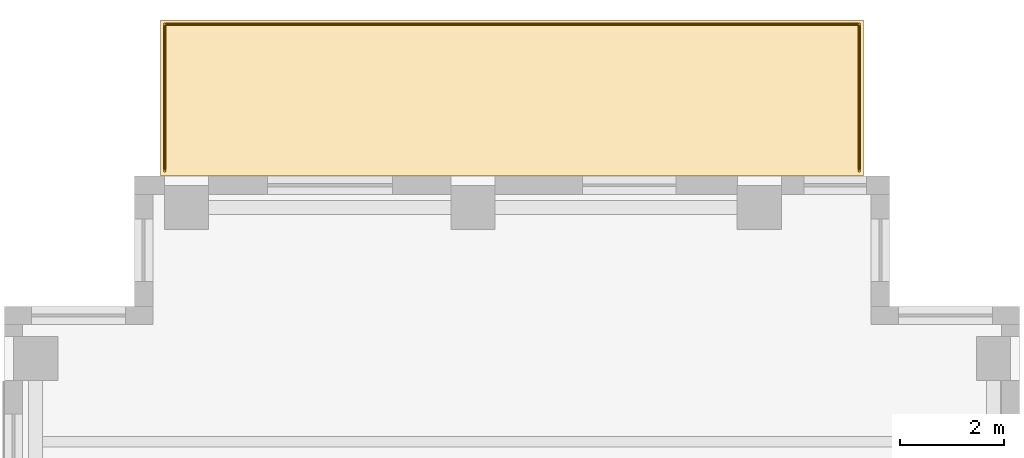
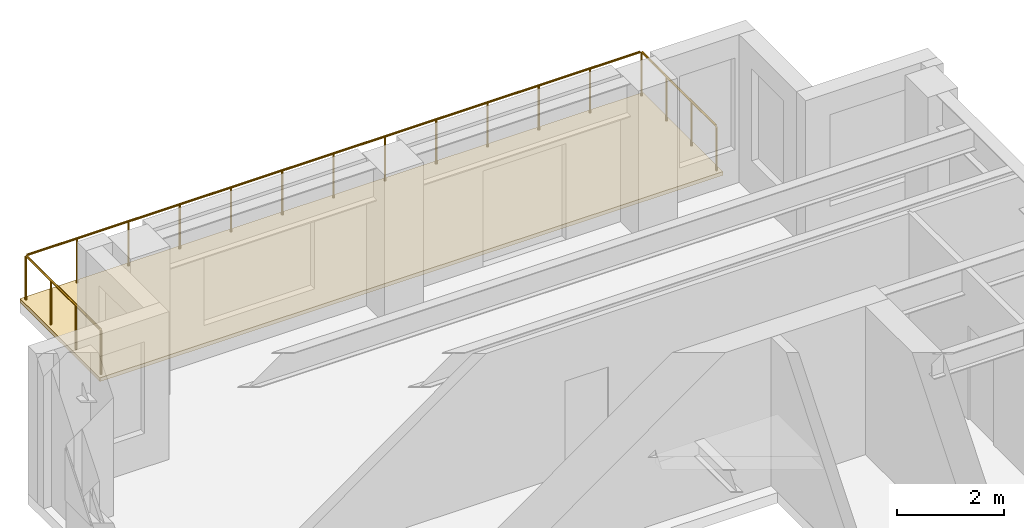
# One storey, part 14 of 14: 1 covering, 1 railing.
"""IFC4 building model written with IfcOpenShell, lengths in metres."""

from ifc_helpers import new_model, si_unit, direction, frame, origin, origin_2d, place, context, subcontext, project, spatial, polyline, circle, outline, extrude, source, transform, mapped, material, layer, layer_set, type_object, element, save


model = new_model("IFC4")

# Units and contexts
model_context = context("Model", 3, precision=1e-05, world=origin(), true_north=direction((0.0, 1.0)))
body_context = subcontext(model_context, "Body", "Model", "MODEL_VIEW")
ifc_project = project(units=[si_unit("LENGTHUNIT", "METRE"), si_unit("AREAUNIT", "SQUARE_METRE"), si_unit("VOLUMEUNIT", "CUBIC_METRE"), si_unit("PLANEANGLEUNIT", "RADIAN"), si_unit("MASSUNIT", "GRAM", prefix="KILO")], contexts=[model_context])

# Site, building, storey
site_placement = place(None, origin())
site = spatial("IfcSite", under=ifc_project, at=site_placement, CompositionType="ELEMENT")
building_placement = place(site_placement, origin())
building = spatial("IfcBuilding", under=site, at=building_placement, Name="Kharzan Plaza Tower", CompositionType="ELEMENT")
storey_placement = place(building_placement, frame((0.0, 0.0, 212.39990234375)))
storey = spatial("IfcBuildingStorey", under=building, at=storey_placement, Name="L57", CompositionType="ELEMENT", Elevation=212.39990234375)

# Covering
ifc_material_1 = material(Name="Inverted EPDM Waterproofing and Gravel Ballast", Category="membrane")
ifc_layer_1 = layer(ifc_material_1, 0.0849609375)
ifc_layer_set_1 = layer_set([ifc_layer_1], Name="Inverted EPDM Waterproofing and Gravel Ballast")
covering_type = type_object("IfcCoveringType", Name="COV-ROOF-MEMB", PredefinedType="ROOFING", material=ifc_layer_set_1)
covering_placement = place(storey_placement, origin())
element("IfcCovering", 1, at=covering_placement, inside=storey, type_object=covering_type, Name="L57 Terrace Waterproofing Covering", PredefinedType="ROOFING", context=body_context, shape_type="SweptSolid", body=[
    extrude(outline(polyline([(3.0, 38.5), (16.5, 38.5), (16.5, 41.5), (3.0, 41.5), (3.0, 38.5)])), origin(), (0.0, 0.0, 1.0), 0.085205078125),
])

# Railing
ifc_material_2 = material(Name="Painted Galvanized Architectural Steel", Category="steel")
ifc_layer_2 = layer(ifc_material_2, 0.074951171875)
ifc_layer_set_2 = layer_set([ifc_layer_2], Name="Painted Galvanized Architectural Steel")
railing_type = type_object("IfcRailingType", Name="RL-GUARD-1120", PredefinedType="BALUSTRADE", material=ifc_layer_set_2)
shared_shape = source(origin(), body_context, "Body", "SweptSolid", [
    extrude(circle(Radius=0.02392578125, at=origin_2d()), frame((0.0, 0.0263671875, 1.09619140625), z_axis=(0.0, 1.0, 0.0), x_axis=(-1.0, 0.0, 0.0)), (0.0, 0.0, 1.0), 2.766845703125),
    extrude(circle(Radius=0.02392578125, at=origin_2d()), frame((0.0263671875, 2.81982421875, 1.09619140625), z_axis=(1.0, 0.0, 0.0), x_axis=(0.0, 1.0, 0.0)), (0.0, 0.0, 1.0), 13.286865234375),
    extrude(circle(Radius=0.02392578125, at=origin_2d()), frame((13.33984375, 2.79345703125, 1.09619140625), z_axis=(0.0, -1.0, 0.0), x_axis=(1.0, 0.0, 0.0)), (0.0, 0.0, 1.0), 2.766845703125),
    extrude(circle(Radius=0.02099609375, at=origin_2d()), origin(), (0.0, 0.0, 1.0), 1.072021484375),
    extrude(circle(Radius=0.02099609375, at=origin_2d()), frame((0.0, 0.93994140625, 0.0)), (0.0, 0.0, 1.0), 1.072021484375),
    extrude(circle(Radius=0.02099609375, at=origin_2d()), frame((0.0, 1.8798828125, 0.0)), (0.0, 0.0, 1.0), 1.072021484375),
    extrude(circle(Radius=0.02099609375, at=origin_2d()), frame((0.0, 2.81982421875, 0.0)), (0.0, 0.0, 1.0), 1.072021484375),
    extrude(circle(Radius=0.02099609375, at=origin_2d()), frame((1.111572265625, 2.81982421875, 0.0)), (0.0, 0.0, 1.0), 1.072021484375),
    extrude(circle(Radius=0.02099609375, at=origin_2d()), frame((2.223388671875, 2.81982421875, 0.0)), (0.0, 0.0, 1.0), 1.072021484375),
    extrude(circle(Radius=0.02099609375, at=origin_2d()), frame((3.3349609375, 2.81982421875, 0.0)), (0.0, 0.0, 1.0), 1.072021484375),
    extrude(circle(Radius=0.02099609375, at=origin_2d()), frame((4.446533203125, 2.81982421875, 0.0)), (0.0, 0.0, 1.0), 1.072021484375),
    extrude(circle(Radius=0.02099609375, at=origin_2d()), frame((5.558349609375, 2.81982421875, 0.0)), (0.0, 0.0, 1.0), 1.072021484375),
    extrude(circle(Radius=0.02099609375, at=origin_2d()), frame((6.669921875, 2.81982421875, 0.0)), (0.0, 0.0, 1.0), 1.072021484375),
    extrude(circle(Radius=0.02099609375, at=origin_2d()), frame((7.781494140625, 2.81982421875, 0.0)), (0.0, 0.0, 1.0), 1.072021484375),
    extrude(circle(Radius=0.02099609375, at=origin_2d()), frame((8.893310546875, 2.81982421875, 0.0)), (0.0, 0.0, 1.0), 1.072021484375),
    extrude(circle(Radius=0.02099609375, at=origin_2d()), frame((10.0048828125, 2.81982421875, 0.0)), (0.0, 0.0, 1.0), 1.072021484375),
    extrude(circle(Radius=0.02099609375, at=origin_2d()), frame((11.116455078125, 2.81982421875, 0.0)), (0.0, 0.0, 1.0), 1.072021484375),
    extrude(circle(Radius=0.02099609375, at=origin_2d()), frame((12.228271484375, 2.81982421875, 0.0)), (0.0, 0.0, 1.0), 1.072021484375),
    extrude(circle(Radius=0.02099609375, at=origin_2d()), frame((13.33984375, 2.81982421875, 0.0)), (0.0, 0.0, 1.0), 1.072021484375),
    extrude(circle(Radius=0.02099609375, at=origin_2d()), frame((13.33984375, 1.8798828125, 0.0)), (0.0, 0.0, 1.0), 1.072021484375),
    extrude(circle(Radius=0.02099609375, at=origin_2d()), frame((13.33984375, 0.93994140625, 0.0)), (0.0, 0.0, 1.0), 1.072021484375),
    extrude(circle(Radius=0.02099609375, at=origin_2d()), frame((13.33984375, 0.0, 0.0)), (0.0, 0.0, 1.0), 1.072021484375),
])
railing_placement = place(storey_placement, frame((3.080078125, 38.60009765625, 0.0)))
element("IfcRailing", 2, at=railing_placement, inside=storey, type_object=railing_type, Name="L57 Setback Roof Terrace Perimeter Guard", PredefinedType="BALUSTRADE", context=body_context, shape_type="MappedRepresentation", body=[
    mapped(shared_shape, transform((0.0, 0.0, 0.0), x_axis=(1.0, 0.0, 0.0), y_axis=(0.0, 1.0, 0.0), z_axis=(0.0, 0.0, 1.0))),
])

save(model, "model.ifc")
